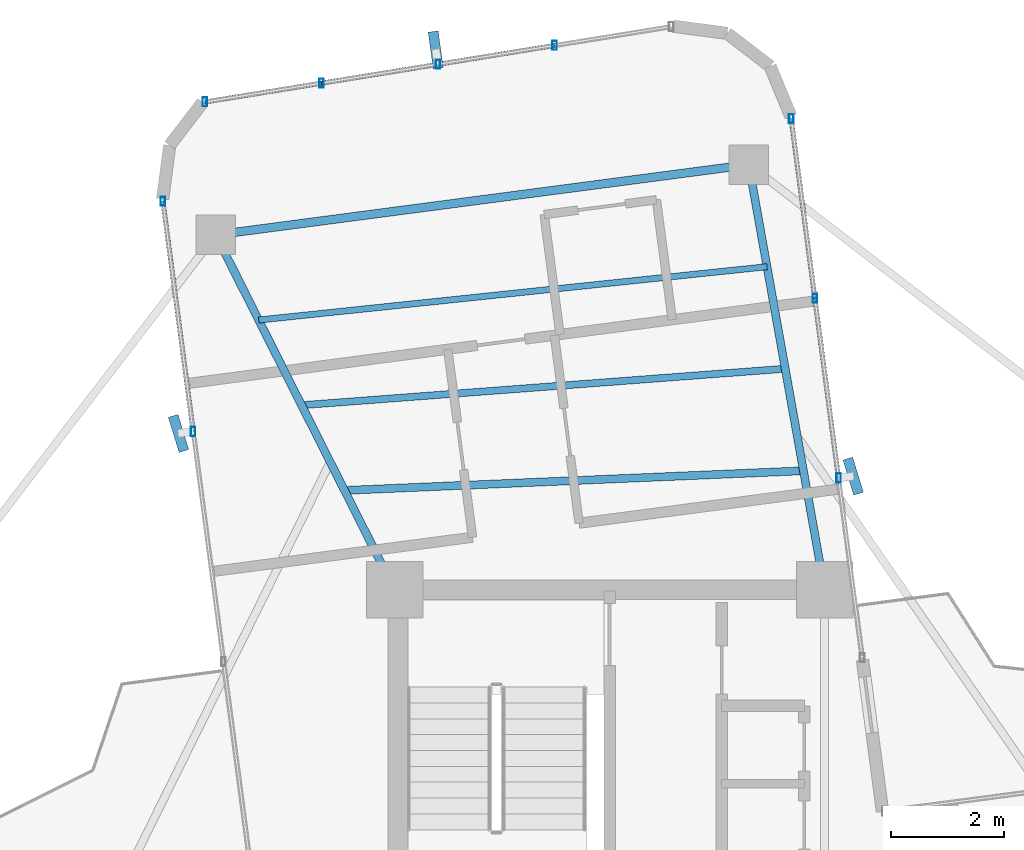
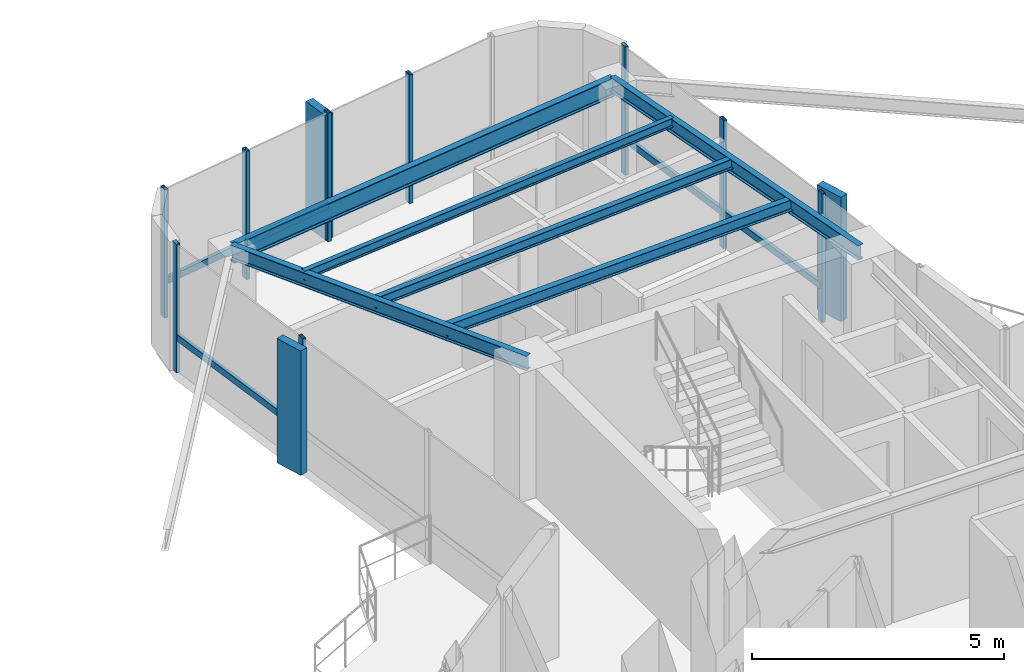
# One storey, part 14 of 22: 18 members, 6 beams, 3 elements without a shape of their own.
"""IFC4 building model written with IfcOpenShell, lengths in metres."""

from ifc_helpers import new_model, si_unit, direction, frame, origin, origin_2d, place, context, subcontext, project, spatial, rectangle, hollow_rectangle, i_section, extrude, source, transform, mapped, material, material_profile, profile_set, type_object, element, aggregate, save


model = new_model("IFC4")

# Units and contexts
model_context = context("Model", 3, precision=1e-05, world=origin(), true_north=direction((0.0, 1.0)))
body_context = subcontext(model_context, "Body", "Model", "MODEL_VIEW")
ifc_project = project(units=[si_unit("LENGTHUNIT", "METRE"), si_unit("AREAUNIT", "SQUARE_METRE"), si_unit("VOLUMEUNIT", "CUBIC_METRE"), si_unit("PLANEANGLEUNIT", "RADIAN"), si_unit("MASSUNIT", "GRAM", prefix="KILO")], contexts=[model_context])

# Site, building, storey
site_placement = place(None, origin())
site = spatial("IfcSite", under=ifc_project, at=site_placement, CompositionType="ELEMENT")
building_placement = place(site_placement, origin())
building = spatial("IfcBuilding", under=site, at=building_placement, Name="Sahyath Konkavel Grand Hotel", CompositionType="ELEMENT")
storey_placement = place(building_placement, frame((0.0, 0.0, 272.449951171875)))
storey = spatial("IfcBuildingStorey", under=building, at=storey_placement, Name="L76", CompositionType="ELEMENT", Elevation=272.449951171875)

# Beams
ifc_material_1 = material(Name="Steel E350", Category="steel")
ifc_material_profile_1 = material_profile(ifc_material_1, i_section(OverallWidth=0.139892578125, OverallDepth=0.35009765625, WebThickness=0.008056640625, FlangeThickness=0.01416015625, FilletRadius=0.013916015625, at=origin_2d()), Name="ISMB 350")
ifc_profile_set_1 = profile_set([ifc_material_profile_1], Name="Steel E350")
beam_type_1 = type_object("IfcBeamType", Name="BM-ISMB350", PredefinedType="BEAM", material=ifc_profile_set_1)
shared_shape_1 = source(origin(), body_context, "Body", "SweptSolid", [
    extrude(i_section(OverallWidth=0.139892578125, OverallDepth=0.35009765625, WebThickness=0.008056640625, FlangeThickness=0.01416015625, FilletRadius=0.013916015625, at=origin_2d()), origin(), (0.0, 0.0, 1.0), 7.631103515625),
])
beam_1_placement = place(storey_placement, frame((3.800048828125, 10.199951171875, 2.93505859375), z_axis=(-0.175734167088, 0.984437658015, 0.0), x_axis=(-0.984437658015, -0.175734167088, 0.0)))
element("IfcBeam", 1, at=beam_1_placement, inside=storey, type_object=beam_type_1, Name="L76 Cruciform Radial Girder NA", PredefinedType="BEAM", context=body_context, shape_type="MappedRepresentation", body=[
    mapped(shared_shape_1, transform((0.0, 0.0, 0.0), scale=1.0)),
])
shared_shape_2 = source(origin(), body_context, "Body", "SweptSolid", [
    extrude(i_section(OverallWidth=0.139892578125, OverallDepth=0.35009765625, WebThickness=0.008056640625, FlangeThickness=0.01416015625, FilletRadius=0.013916015625, at=origin_2d()), origin(), (0.0, 0.0, 1.0), 7.0234375),
])
beam_2_placement = place(storey_placement, frame((-3.800048828125, 10.199951171875, 2.93505859375), z_axis=(-0.449881274382, 0.893088371305, 0.0), x_axis=(-0.893088371305, -0.449881274382, 0.0)))
element("IfcBeam", 2, at=beam_2_placement, inside=storey, type_object=beam_type_1, Name="L76 Cruciform Radial Girder NB", PredefinedType="BEAM", context=body_context, shape_type="MappedRepresentation", body=[
    mapped(shared_shape_2, transform((0.0, 0.0, 0.0), scale=1.0)),
])
ifc_material_profile_2 = material_profile(ifc_material_1, i_section(OverallWidth=0.14990234375, OverallDepth=0.449951171875, WebThickness=0.009521484375, FlangeThickness=0.017333984375, FilletRadius=0.014892578125, at=origin_2d()), Name="ISMB 450")
ifc_profile_set_2 = profile_set([ifc_material_profile_2], Name="Steel E350")
beam_type_2 = type_object("IfcBeamType", Name="BM-ISMB450", PredefinedType="BEAM", material=ifc_profile_set_2)
shared_shape_3 = source(origin(), body_context, "Body", "SweptSolid", [
    extrude(i_section(OverallWidth=0.14990234375, OverallDepth=0.449951171875, WebThickness=0.009521484375, FlangeThickness=0.017333984375, FilletRadius=0.014892578125, at=origin_2d()), origin(), (0.0, 0.0, 1.0), 9.5),
])
beam_3_placement = place(storey_placement, frame((2.458984375, 17.71240234375, 2.885009765625), z_axis=(-0.991444933556, -0.130525643939, 0.0), x_axis=(0.130525643939, -0.991444933556, 0.0)))
element("IfcBeam", 3, at=beam_3_placement, inside=storey, type_object=beam_type_2, Name="L76 Wing Tip Edge Beam N", PredefinedType="BEAM", context=body_context, shape_type="MappedRepresentation", body=[
    mapped(shared_shape_3, transform((0.0, 0.0, 0.0), scale=1.0)),
])
ifc_material_profile_3 = material_profile(ifc_material_1, i_section(OverallWidth=0.139892578125, OverallDepth=0.27490234375, WebThickness=0.00634765625, FlangeThickness=0.0087890625, FilletRadius=0.012939453125, at=origin_2d()), Name="ISLB 275")
ifc_profile_set_3 = profile_set([ifc_material_profile_3], Name="Steel E350")
beam_type_3 = type_object("IfcBeamType", Name="BM-ISLB275", PredefinedType="BEAM", material=ifc_profile_set_3)
shared_shape_4 = source(origin(), body_context, "Body", "SweptSolid", [
    extrude(i_section(OverallWidth=0.139892578125, OverallDepth=0.27490234375, WebThickness=0.00634765625, FlangeThickness=0.0087890625, FilletRadius=0.012939453125, at=origin_2d()), origin(), (0.0, 0.0, 1.0), 8.11669921875),
])
beam_4_placement = place(storey_placement, frame((3.424560546875, 12.303466796875, 2.97265625), z_axis=(-0.999084879956, -0.042771516718, 0.0), x_axis=(0.042771516718, -0.999084879956, 0.0)))
element("IfcBeam", 4, at=beam_4_placement, inside=storey, type_object=beam_type_3, Name="L76 Secondary Floor Beam N-1", PredefinedType="BEAM", context=body_context, shape_type="MappedRepresentation", body=[
    mapped(shared_shape_4, transform((0.0, 0.0, 0.0), scale=1.0)),
])
ifc_material_profile_4 = material_profile(ifc_material_1, i_section(OverallWidth=0.125, OverallDepth=0.25, WebThickness=0.0068359375, FlangeThickness=0.012451171875, FilletRadius=0.012939453125, at=origin_2d()), Name="ISMB 250")
ifc_profile_set_4 = profile_set([ifc_material_profile_4], Name="Steel E350")
beam_type_4 = type_object("IfcBeamType", Name="BM-ISMB250", PredefinedType="BEAM", material=ifc_profile_set_4)
shared_shape_5 = source(origin(), body_context, "Body", "SweptSolid", [
    extrude(i_section(OverallWidth=0.125, OverallDepth=0.25, WebThickness=0.0068359375, FlangeThickness=0.012451171875, FilletRadius=0.012939453125, at=origin_2d()), origin(), (0.0, 0.0, 1.0), 8.570068359375),
])
beam_5_placement = place(storey_placement, frame((3.102783203125, 14.1064453125, 2.985107421875), z_axis=(-0.997165854664, -0.075234688098, 0.0), x_axis=(0.075234688098, -0.997165854664, 0.0)))
element("IfcBeam", 5, at=beam_5_placement, inside=storey, type_object=beam_type_4, Name="L76 Secondary Floor Beam N-2", PredefinedType="BEAM", context=body_context, shape_type="MappedRepresentation", body=[
    mapped(shared_shape_5, transform((0.0, 0.0, 0.0), scale=1.0)),
])
ifc_material_profile_5 = material_profile(ifc_material_1, i_section(OverallWidth=0.110107421875, OverallDepth=0.22509765625, WebThickness=0.006591796875, FlangeThickness=0.01171875, FilletRadius=0.011962890625, at=origin_2d()), Name="ISMB 225")
ifc_profile_set_5 = profile_set([ifc_material_profile_5], Name="Steel E350")
beam_type_5 = type_object("IfcBeamType", Name="BM-ISMB225", PredefinedType="BEAM", material=ifc_profile_set_5)
shared_shape_6 = source(origin(), body_context, "Body", "SweptSolid", [
    extrude(i_section(OverallWidth=0.110107421875, OverallDepth=0.22509765625, WebThickness=0.006591796875, FlangeThickness=0.01171875, FilletRadius=0.011962890625, at=origin_2d()), origin(), (0.0, 0.0, 1.0), 9.03173828125),
])
beam_6_placement = place(storey_placement, frame((2.781005859375, 15.909423828125, 2.99755859375), z_axis=(-0.99454153435, -0.104341441688, 0.0), x_axis=(0.104341441688, -0.99454153435, 0.0)))
element("IfcBeam", 6, at=beam_6_placement, inside=storey, type_object=beam_type_5, Name="L76 Secondary Floor Beam N-3", PredefinedType="BEAM", context=body_context, shape_type="MappedRepresentation", body=[
    mapped(shared_shape_6, transform((0.0, 0.0, 0.0), scale=1.0)),
])

# Curtain wall, member
ifc_material_2 = material(Name="Anodised Bronze Aluminium & Low-E Glazing", Category="aluminium")
curtain_wall_type = type_object("IfcCurtainWallType", Name="CW-ZONE4", PredefinedType="NOTDEFINED", material=ifc_material_2)
curtain_wall_1_placement = place(storey_placement, origin())
curtain_wall_1 = element("IfcCurtainWall", 7, at=curtain_wall_1_placement, inside=storey, type_object=curtain_wall_type, Name="L76 Unitised Curtain Wall F8", PredefinedType="NOTDEFINED")
ifc_material_3 = material(Name="Warm Buff Sandstone Cladding on Concrete C50/60", Category="masonry")
ifc_material_profile_6 = material_profile(ifc_material_3, rectangle(XDim=0.179931640625, YDim=0.64990234375, at=origin_2d()), Name="FIN 180x650")
ifc_profile_set_6 = profile_set([ifc_material_profile_6], Name="Warm Buff Sandstone Cladding on Concrete C50/60")
member_type_1 = type_object("IfcMemberType", Name="FIN-SANDSTONE-650", PredefinedType="MULLION", material=ifc_profile_set_6)
shared_shape_7 = source(origin(), body_context, "Body", "SweptSolid", [
    extrude(rectangle(XDim=0.179931640625, YDim=0.64990234375, at=origin_2d()), origin(), (0.0, 0.0, 1.0), 3.010009765625),
])
member_1_placement = place(storey_placement, frame((4.30322265625, 12.20947265625, 0.050048828125), z_axis=(0.0, 0.0, 1.0), x_axis=(0.956151539415, 0.292872384621, 0.0)))
member_1 = element("IfcMember", 8, at=member_1_placement, type_object=member_type_1, Name="L76 Sandstone Vertical Solar Fin FIN F8-1", PredefinedType="MULLION", context=body_context, shape_type="MappedRepresentation", body=[
    mapped(shared_shape_7, transform((0.0, 0.0, 0.0), scale=1.0)),
])

curtain_wall_2_placement = place(storey_placement, origin())
curtain_wall_2 = element("IfcCurtainWall", 9, at=curtain_wall_2_placement, inside=storey, type_object=curtain_wall_type, Name="L76 Unitised Curtain Wall F12", PredefinedType="NOTDEFINED")
member_2_placement = place(storey_placement, frame((-3.073486328125, 19.74365234375, 0.050048828125), z_axis=(0.0, 0.0, 1.0), x_axis=(0.990461425697, 0.137790290685, 0.0)))
member_2 = element("IfcMember", 10, at=member_2_placement, type_object=member_type_1, Name="L76 Sandstone Vertical Solar Fin FIN F12-2", PredefinedType="MULLION", context=body_context, shape_type="MappedRepresentation", body=[
    mapped(shared_shape_7, transform((0.0, 0.0, 0.0), scale=1.0)),
])

curtain_wall_3_placement = place(storey_placement, origin())
curtain_wall_3 = element("IfcCurtainWall", 11, at=curtain_wall_3_placement, inside=storey, type_object=curtain_wall_type, Name="L76 Unitised Curtain Wall F15", PredefinedType="NOTDEFINED")
member_3_placement = place(storey_placement, frame((-7.6171875, 12.96337890625, 0.050048828125), z_axis=(0.0, 0.0, 1.0), x_axis=(0.956151539415, 0.292872384621, 0.0)))
member_3 = element("IfcMember", 12, at=member_3_placement, type_object=member_type_1, Name="L76 Sandstone Vertical Solar Fin FIN F15-1", PredefinedType="MULLION", context=body_context, shape_type="MappedRepresentation", body=[
    mapped(shared_shape_7, transform((0.0, 0.0, 0.0), scale=1.0)),
])

# Member
ifc_material_4 = material(Name="Anodised Bronze Aluminium", Category="aluminium")
ifc_material_profile_7 = material_profile(ifc_material_4, hollow_rectangle(XDim=0.080078125, YDim=0.159912109375, WallThickness=0.006103515625, at=origin_2d()), Name="RHS 160x80x6")
ifc_profile_set_7 = profile_set([ifc_material_profile_7], Name="Anodised Bronze Aluminium")
member_type_2 = type_object("IfcMemberType", Name="CW-MUL-160", PredefinedType="MULLION", material=ifc_profile_set_7)
shared_shape_8 = source(origin(), body_context, "Body", "SweptSolid", [
    extrude(hollow_rectangle(XDim=0.080078125, YDim=0.159912109375, WallThickness=0.006103515625, at=origin_2d()), origin(), (0.0, 0.0, 1.0), 3.110107421875),
])
member_4_placement = place(storey_placement, frame((4.04541015625, 12.175537109375, 0.0), z_axis=(0.0, 0.0, 1.0), x_axis=(1.0, 0.0, 0.0)))
member_4 = element("IfcMember", 13, at=member_4_placement, type_object=member_type_2, Name="L76 Curtain Wall Mullion F8-1", PredefinedType="MULLION", context=body_context, shape_type="MappedRepresentation", body=[
    mapped(shared_shape_8, transform((0.0, 0.0, 0.0), scale=1.0)),
])

member_5_placement = place(storey_placement, frame((3.627197265625, 15.351318359375, 0.0), z_axis=(0.0, 0.0, 1.0), x_axis=(1.0, 0.0, 0.0)))
member_5 = element("IfcMember", 14, at=member_5_placement, type_object=member_type_2, Name="L76 Curtain Wall Mullion F8-2", PredefinedType="MULLION", context=body_context, shape_type="MappedRepresentation", body=[
    mapped(shared_shape_8, transform((0.0, 0.0, 0.0), scale=1.0)),
])

member_6_placement = place(storey_placement, frame((3.208984375, 18.52734375, 0.0), z_axis=(0.0, 0.0, 1.0), x_axis=(1.0, 0.0, 0.0)))
member_6 = element("IfcMember", 15, at=member_6_placement, type_object=member_type_2, Name="L76 Curtain Wall Mullion F8-3", PredefinedType="MULLION", context=body_context, shape_type="MappedRepresentation", body=[
    mapped(shared_shape_8, transform((0.0, 0.0, 0.0), scale=1.0)),
])

member_7_placement = place(storey_placement, frame((-0.9716796875, 19.8203125, 0.0), z_axis=(0.0, 0.0, 1.0), x_axis=(1.0, 0.0, 0.0)))
member_7 = element("IfcMember", 16, at=member_7_placement, type_object=member_type_2, Name="L76 Curtain Wall Mullion F12-1", PredefinedType="MULLION", context=body_context, shape_type="MappedRepresentation", body=[
    mapped(shared_shape_8, transform((0.0, 0.0, 0.0), scale=1.0)),
])

member_8_placement = place(storey_placement, frame((-3.031982421875, 19.487060546875, 0.0), z_axis=(0.0, 0.0, 1.0), x_axis=(1.0, 0.0, 0.0)))
member_8 = element("IfcMember", 17, at=member_8_placement, type_object=member_type_2, Name="L76 Curtain Wall Mullion F12-2", PredefinedType="MULLION", context=body_context, shape_type="MappedRepresentation", body=[
    mapped(shared_shape_8, transform((0.0, 0.0, 0.0), scale=1.0)),
])

member_9_placement = place(storey_placement, frame((-5.09228515625, 19.15380859375, 0.0), z_axis=(0.0, 0.0, 1.0), x_axis=(1.0, 0.0, 0.0)))
member_9 = element("IfcMember", 18, at=member_9_placement, type_object=member_type_2, Name="L76 Curtain Wall Mullion F12-3", PredefinedType="MULLION", context=body_context, shape_type="MappedRepresentation", body=[
    mapped(shared_shape_8, transform((0.0, 0.0, 0.0), scale=1.0)),
])

member_10_placement = place(storey_placement, frame((-7.15283203125, 18.82080078125, 0.0), z_axis=(0.0, 0.0, 1.0), x_axis=(1.0, 0.0, 0.0)))
member_10 = element("IfcMember", 19, at=member_10_placement, type_object=member_type_2, Name="L76 Curtain Wall Mullion F12-4", PredefinedType="MULLION", context=body_context, shape_type="MappedRepresentation", body=[
    mapped(shared_shape_8, transform((0.0, 0.0, 0.0), scale=1.0)),
])

member_11_placement = place(storey_placement, frame((-7.89501953125, 17.0654296875, 0.0), z_axis=(0.0, 0.0, 1.0), x_axis=(1.0, 0.0, 0.0)))
member_11 = element("IfcMember", 20, at=member_11_placement, type_object=member_type_2, Name="L76 Curtain Wall Mullion F15-0", PredefinedType="MULLION", context=body_context, shape_type="MappedRepresentation", body=[
    mapped(shared_shape_8, transform((0.0, 0.0, 0.0), scale=1.0)),
])

member_12_placement = place(storey_placement, frame((-7.359619140625, 12.997314453125, 0.0), z_axis=(0.0, 0.0, 1.0), x_axis=(1.0, 0.0, 0.0)))
member_12 = element("IfcMember", 21, at=member_12_placement, type_object=member_type_2, Name="L76 Curtain Wall Mullion F15-1", PredefinedType="MULLION", context=body_context, shape_type="MappedRepresentation", body=[
    mapped(shared_shape_8, transform((0.0, 0.0, 0.0), scale=1.0)),
])

ifc_material_profile_8 = material_profile(ifc_material_4, hollow_rectangle(XDim=0.080078125, YDim=0.159912109375, WallThickness=0.006103515625, at=origin_2d()), Name="RHS 160x80x6")
ifc_profile_set_8 = profile_set([ifc_material_profile_8], Name="Anodised Bronze Aluminium")
member_type_3 = type_object("IfcMemberType", Name="CW-TRN-160", PredefinedType="USERDEFINED", material=ifc_profile_set_8)
shared_shape_9 = source(origin(), body_context, "Body", "SweptSolid", [
    extrude(hollow_rectangle(XDim=0.080078125, YDim=0.159912109375, WallThickness=0.006103515625, at=origin_2d()), origin(), (0.0, 0.0, 1.0), 3.203369140625),
])
member_13_placement = place(storey_placement, frame((3.627197265625, 15.351318359375, 0.85009765625), z_axis=(-0.130551112835, 0.991441580194, 0.0), x_axis=(-0.991441580194, -0.130551112835, 0.0)))
member_13 = element("IfcMember", 22, at=member_13_placement, type_object=member_type_3, Name="L76 Curtain Wall Transom F8-2-spandrel", ObjectType="TRANSOM", PredefinedType="USERDEFINED", context=body_context, shape_type="MappedRepresentation", body=[
    mapped(shared_shape_9, transform((0.0, 0.0, 0.0), scale=1.0)),
])

shared_shape_10 = source(origin(), body_context, "Body", "SweptSolid", [
    extrude(hollow_rectangle(XDim=0.080078125, YDim=0.159912109375, WallThickness=0.006103515625, at=origin_2d()), origin(), (0.0, 0.0, 1.0), 3.203125),
])
member_14_placement = place(storey_placement, frame((4.04541015625, 12.175537109375, 0.85009765625), z_axis=(-0.13056097798, 0.991440281121, 0.0), x_axis=(-0.991440281121, -0.13056097798, 0.0)))
member_14 = element("IfcMember", 23, at=member_14_placement, type_object=member_type_3, Name="L76 Curtain Wall Transom F8-1-spandrel", ObjectType="TRANSOM", PredefinedType="USERDEFINED", context=body_context, shape_type="MappedRepresentation", body=[
    mapped(shared_shape_10, transform((0.0, 0.0, 0.0), scale=1.0)),
])

aggregate(curtain_wall_1, [member_4, member_1, member_5, member_6, member_14, member_13])

shared_shape_11 = source(origin(), body_context, "Body", "SweptSolid", [
    extrude(hollow_rectangle(XDim=0.080078125, YDim=0.159912109375, WallThickness=0.006103515625, at=origin_2d()), origin(), (0.0, 0.0, 1.0), 2.08740234375),
])
member_15_placement = place(storey_placement, frame((-5.09228515625, 19.15380859375, 0.85009765625), z_axis=(-0.98719124923, -0.159541334591, 0.0), x_axis=(0.159541334591, -0.98719124923, 0.0)))
member_15 = element("IfcMember", 24, at=member_15_placement, type_object=member_type_3, Name="L76 Curtain Wall Transom F12-3-spandrel", ObjectType="TRANSOM", PredefinedType="USERDEFINED", context=body_context, shape_type="MappedRepresentation", body=[
    mapped(shared_shape_11, transform((0.0, 0.0, 0.0), scale=1.0)),
])

shared_shape_12 = source(origin(), body_context, "Body", "SweptSolid", [
    extrude(hollow_rectangle(XDim=0.080078125, YDim=0.159912109375, WallThickness=0.006103515625, at=origin_2d()), origin(), (0.0, 0.0, 1.0), 2.087158203125),
])
member_16_placement = place(storey_placement, frame((-0.9716796875, 19.8203125, 0.85009765625), z_axis=(-0.98716983924, -0.159673756436, 0.0), x_axis=(0.159673756436, -0.98716983924, 0.0)))
member_16 = element("IfcMember", 25, at=member_16_placement, type_object=member_type_3, Name="L76 Curtain Wall Transom F12-1-spandrel", ObjectType="TRANSOM", PredefinedType="USERDEFINED", context=body_context, shape_type="MappedRepresentation", body=[
    mapped(shared_shape_12, transform((0.0, 0.0, 0.0), scale=1.0)),
])

member_17_placement = place(storey_placement, frame((-3.031982421875, 19.487060546875, 0.85009765625), z_axis=(-0.98716983924, -0.159673756436, 0.0), x_axis=(0.159673756436, -0.98716983924, 0.0)))
member_17 = element("IfcMember", 26, at=member_17_placement, type_object=member_type_3, Name="L76 Curtain Wall Transom F12-2-spandrel", ObjectType="TRANSOM", PredefinedType="USERDEFINED", context=body_context, shape_type="MappedRepresentation", body=[
    mapped(shared_shape_12, transform((0.0, 0.0, 0.0), scale=1.0)),
])

aggregate(curtain_wall_2, [member_7, member_8, member_2, member_9, member_10, member_16, member_17, member_15])

shared_shape_13 = source(origin(), body_context, "Body", "SweptSolid", [
    extrude(hollow_rectangle(XDim=0.080078125, YDim=0.159912109375, WallThickness=0.006103515625, at=origin_2d()), origin(), (0.0, 0.0, 1.0), 4.103271484375),
])
member_18_placement = place(storey_placement, frame((-7.89501953125, 17.0654296875, 0.85009765625), z_axis=(0.130483756275, -0.991450447248, 0.0), x_axis=(0.991450447248, 0.130483756275, 0.0)))
member_18 = element("IfcMember", 27, at=member_18_placement, type_object=member_type_3, Name="L76 Curtain Wall Transom F15-0-spandrel", ObjectType="TRANSOM", PredefinedType="USERDEFINED", context=body_context, shape_type="MappedRepresentation", body=[
    mapped(shared_shape_13, transform((0.0, 0.0, 0.0), scale=1.0)),
])

aggregate(curtain_wall_3, [member_11, member_12, member_3, member_18])

save(model, "model.ifc")
